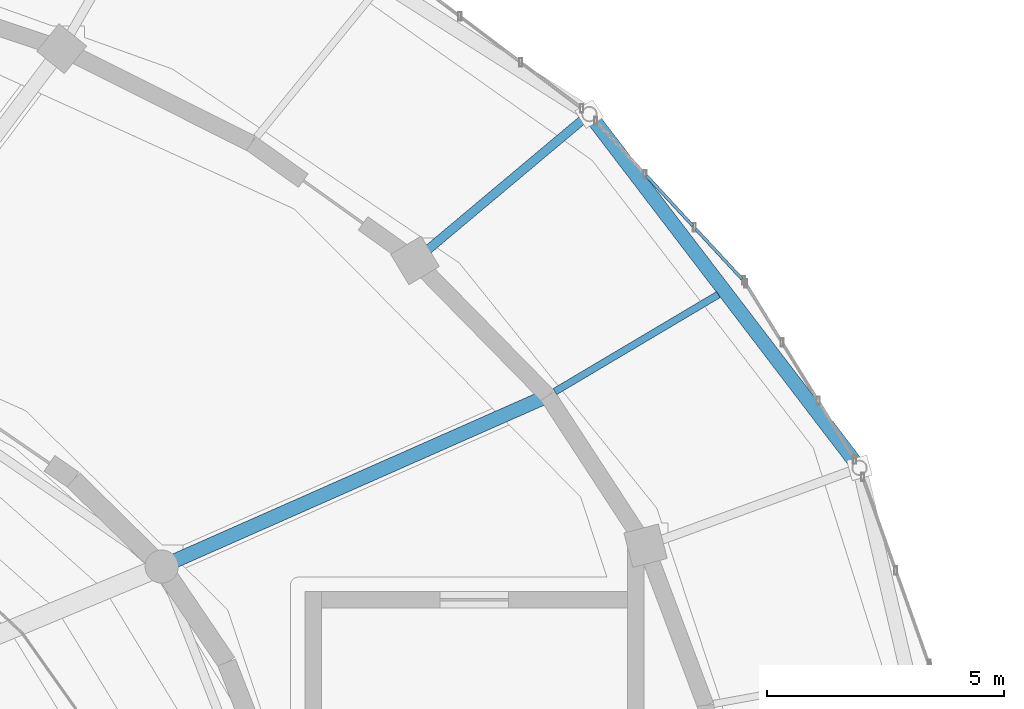
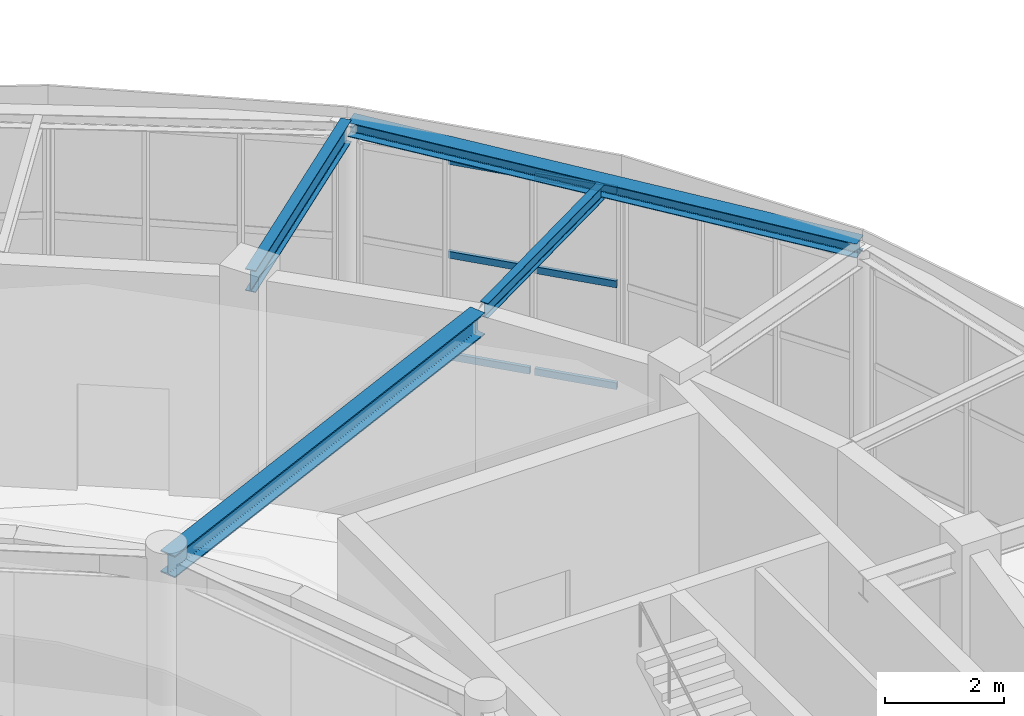
# One storey, part 49 of 108: 6 members, 4 beams, 1 element without a shape of its own.
"""IFC4 building model written with IfcOpenShell, lengths in metres."""

from ifc_helpers import new_model, si_unit, direction, frame, origin, origin_2d, place, context, subcontext, project, spatial, hollow_rectangle, i_section, extrude, material, material_profile, profile_set, type_object, element, aggregate, save


model = new_model("IFC4")

# Units and contexts
model_context = context("Model", 3, precision=1e-05, world=origin(), true_north=direction((0.0, 1.0)))
body_context = subcontext(model_context, "Body", "Model", "MODEL_VIEW")
ifc_project = project(units=[si_unit("LENGTHUNIT", "METRE"), si_unit("AREAUNIT", "SQUARE_METRE"), si_unit("VOLUMEUNIT", "CUBIC_METRE"), si_unit("PLANEANGLEUNIT", "RADIAN"), si_unit("MASSUNIT", "GRAM", prefix="KILO")], contexts=[model_context])

# Site, building, storey
site_placement = place(None, origin())
site = spatial("IfcSite", under=ifc_project, at=site_placement, CompositionType="ELEMENT")
building_placement = place(site_placement, origin())
building = spatial("IfcBuilding", under=site, at=building_placement, Name="Tarnveldt Headland Concert Hall", CompositionType="ELEMENT")
storey_placement = place(building_placement, frame((0.0, 0.0, 9.60009765625)))
storey = spatial("IfcBuildingStorey", under=building, at=storey_placement, Name="L02", CompositionType="ELEMENT", Elevation=9.60009765625)

# Beams
ifc_material_1 = material(Name="Steel S355", Category="steel")
ifc_material_profile_1 = material_profile(ifc_material_1, i_section(OverallWidth=0.300048828125, OverallDepth=0.2900390625, WebThickness=0.008544921875, FlangeThickness=0.013916015625, FilletRadius=0.027099609375, at=origin_2d()), Name="HEA300", Category="steel")
ifc_profile_set_1 = profile_set([ifc_material_profile_1], Name="Steel S355")
beam_type_1 = type_object("IfcBeamType", Name="SB-HEA300", PredefinedType="SPANDREL", material=ifc_profile_set_1)
beam_1_placement = place(storey_placement, frame((114.285400390625, 63.02978515625, 4.4248046875), z_axis=(-0.606896353007, 0.794780986629, 0.0), x_axis=(-0.794780986629, -0.606896353007, 0.0)))
element("IfcBeam", 1, at=beam_1_placement, inside=storey, type_object=beam_type_1, Name="Framing beam L02-998", PredefinedType="SPANDREL", context=body_context, shape_type="SweptSolid", body=[
    extrude(i_section(OverallWidth=0.300048828125, OverallDepth=0.2900390625, WebThickness=0.008544921875, FlangeThickness=0.013916015625, FilletRadius=0.027099609375, at=origin_2d()), origin(), (0.0, 0.0, 1.0), 9.264892578125),
])
ifc_material_profile_2 = material_profile(ifc_material_1, i_section(OverallWidth=0.300048828125, OverallDepth=0.449951171875, WebThickness=0.013916015625, FlangeThickness=0.02587890625, FilletRadius=0.027099609375, at=origin_2d()), Name="HEB450", Category="steel")
ifc_profile_set_2 = profile_set([ifc_material_profile_2], Name="Steel S355")
beam_type_2 = type_object("IfcBeamType", Name="SB-HEB450", PredefinedType="BEAM", material=ifc_profile_set_2)
beam_2_placement = place(storey_placement, frame((99.644775390625, 60.916259765625, 4.324951171875), z_axis=(0.91456211397, 0.404445471839, 0.0), x_axis=(-0.404445471839, 0.91456211397, 0.0)))
element("IfcBeam", 2, at=beam_2_placement, inside=storey, type_object=beam_type_2, Name="Framing beam L02-1051", PredefinedType="BEAM", context=body_context, shape_type="SweptSolid", body=[
    extrude(i_section(OverallWidth=0.300048828125, OverallDepth=0.449951171875, WebThickness=0.013916015625, FlangeThickness=0.02587890625, FilletRadius=0.027099609375, at=origin_2d()), origin(), (0.0, 0.0, 1.0), 8.821044921875),
])
ifc_material_profile_3 = material_profile(ifc_material_1, i_section(OverallWidth=0.14990234375, OverallDepth=0.300048828125, WebThickness=0.007080078125, FlangeThickness=0.0107421875, FilletRadius=0.014892578125, at=origin_2d()), Name="IPE300", Category="steel")
ifc_profile_set_3 = profile_set([ifc_material_profile_3], Name="Steel S355")
beam_type_3 = type_object("IfcBeamType", Name="SB-IPE300", PredefinedType="JOIST", material=ifc_profile_set_3)
beam_3_placement = place(storey_placement, frame((107.899169921875, 64.58935546875, 4.419921875), z_axis=(0.859902377377, 0.510458520726, 0.0), x_axis=(-0.510458520726, 0.859902377377, 0.0)))
element("IfcBeam", 3, at=beam_3_placement, inside=storey, type_object=beam_type_3, Name="Framing beam L02-1000", PredefinedType="JOIST", context=body_context, shape_type="SweptSolid", body=[
    extrude(i_section(OverallWidth=0.14990234375, OverallDepth=0.300048828125, WebThickness=0.007080078125, FlangeThickness=0.0107421875, FilletRadius=0.014892578125, at=origin_2d()), origin(), (0.0, 0.0, 1.0), 4.007568359375),
])
ifc_material_profile_4 = material_profile(ifc_material_1, i_section(OverallWidth=0.18994140625, OverallDepth=0.449951171875, WebThickness=0.009521484375, FlangeThickness=0.0146484375, FilletRadius=0.02099609375, at=origin_2d()), Name="IPE450", Category="steel")
ifc_profile_set_4 = profile_set([ifc_material_profile_4], Name="Steel S355")
beam_type_4 = type_object("IfcBeamType", Name="SB-IPE450", PredefinedType="BEAM", material=ifc_profile_set_4)
beam_4_placement = place(storey_placement, frame((104.979736328125, 67.381591796875, 4.344970703125), z_axis=(0.76607107782, 0.642755866351, 0.0), x_axis=(-0.642755866351, 0.76607107782, 0.0)))
element("IfcBeam", 4, at=beam_4_placement, inside=storey, type_object=beam_type_4, Name="Framing beam L02-1002", PredefinedType="BEAM", context=body_context, shape_type="SweptSolid", body=[
    extrude(i_section(OverallWidth=0.18994140625, OverallDepth=0.449951171875, WebThickness=0.009521484375, FlangeThickness=0.0146484375, FilletRadius=0.02099609375, at=origin_2d()), origin(), (0.0, 0.0, 1.0), 4.699951171875),
])

# Curtain wall, members
ifc_material_2 = material(Name="Marine-anodised aluminium EN AW-6063-T6", Category="aluminium")
curtain_wall_type = type_object("IfcCurtainWallType", Name="CW-F3", PredefinedType="NOTDEFINED", material=ifc_material_2)
curtain_wall_placement = place(storey_placement, origin())
curtain_wall = element("IfcCurtainWall", 5, at=curtain_wall_placement, inside=storey, type_object=curtain_wall_type, Name="Curtain wall CW-L02-063", PredefinedType="NOTDEFINED")
ifc_material_profile_5 = material_profile(ifc_material_2, hollow_rectangle(XDim=0.06494140625, YDim=0.139892578125, WallThickness=0.00390625, at=origin_2d()), Name="ALU TRANSOM 65x140x4", Category="aluminium")
ifc_profile_set_5 = profile_set([ifc_material_profile_5], Name="Marine-anodised aluminium EN AW-6063-T6")
member_type = type_object("IfcMemberType", Name="TR-140", PredefinedType="MEMBER", material=ifc_profile_set_5)
member_1_placement = place(storey_placement, frame((111.84814453125, 66.9619140625, 0.0498046875), z_axis=(-0.679441860222, 0.733729349678, 0.0), x_axis=(-0.733729349678, -0.679441860222, 0.0)))
member_1 = element("IfcMember", 6, at=member_1_placement, type_object=member_type, Name="Transom CW-L02-063-1-1", PredefinedType="MEMBER", context=body_context, shape_type="SweptSolid", body=[
    extrude(hollow_rectangle(XDim=0.06494140625, YDim=0.139892578125, WallThickness=0.00390625, at=origin_2d()), origin(), (0.0, 0.0, 1.0), 1.439208984375),
])
member_2_placement = place(storey_placement, frame((111.84814453125, 66.9619140625, 2.135986328125), z_axis=(-0.679441860222, 0.733729349678, 0.0), x_axis=(-0.733729349678, -0.679441860222, 0.0)))
member_2 = element("IfcMember", 7, at=member_2_placement, type_object=member_type, Name="Transom CW-L02-063-1-2", PredefinedType="MEMBER", context=body_context, shape_type="SweptSolid", body=[
    extrude(hollow_rectangle(XDim=0.06494140625, YDim=0.139892578125, WallThickness=0.00390625, at=origin_2d()), origin(), (0.0, 0.0, 1.0), 1.439208984375),
])
member_3_placement = place(storey_placement, frame((111.84814453125, 66.9619140625, 4.057861328125), z_axis=(-0.679441860222, 0.733729349678, 0.0), x_axis=(-0.733729349678, -0.679441860222, 0.0)))
member_3 = element("IfcMember", 8, at=member_3_placement, type_object=member_type, Name="Transom CW-L02-063-1-3", PredefinedType="MEMBER", context=body_context, shape_type="SweptSolid", body=[
    extrude(hollow_rectangle(XDim=0.06494140625, YDim=0.139892578125, WallThickness=0.00390625, at=origin_2d()), origin(), (0.0, 0.0, 1.0), 1.439208984375),
])
member_4_placement = place(storey_placement, frame((110.809814453125, 68.083251953125, 0.0498046875), z_axis=(-0.679526440449, 0.733651018353, 0.0), x_axis=(-0.733651018353, -0.679526440449, 0.0)))
member_4 = element("IfcMember", 9, at=member_4_placement, type_object=member_type, Name="Transom CW-L02-063-2-1", PredefinedType="MEMBER", context=body_context, shape_type="SweptSolid", body=[
    extrude(hollow_rectangle(XDim=0.06494140625, YDim=0.139892578125, WallThickness=0.00390625, at=origin_2d()), origin(), (0.0, 0.0, 1.0), 1.43896484375),
])
member_5_placement = place(storey_placement, frame((110.809814453125, 68.083251953125, 2.135986328125), z_axis=(-0.679526440449, 0.733651018353, 0.0), x_axis=(-0.733651018353, -0.679526440449, 0.0)))
member_5 = element("IfcMember", 10, at=member_5_placement, type_object=member_type, Name="Transom CW-L02-063-2-2", PredefinedType="MEMBER", context=body_context, shape_type="SweptSolid", body=[
    extrude(hollow_rectangle(XDim=0.06494140625, YDim=0.139892578125, WallThickness=0.00390625, at=origin_2d()), origin(), (0.0, 0.0, 1.0), 1.43896484375),
])
member_6_placement = place(storey_placement, frame((110.809814453125, 68.083251953125, 4.057861328125), z_axis=(-0.679526440449, 0.733651018353, 0.0), x_axis=(-0.733651018353, -0.679526440449, 0.0)))
member_6 = element("IfcMember", 11, at=member_6_placement, type_object=member_type, Name="Transom CW-L02-063-2-3", PredefinedType="MEMBER", context=body_context, shape_type="SweptSolid", body=[
    extrude(hollow_rectangle(XDim=0.06494140625, YDim=0.139892578125, WallThickness=0.00390625, at=origin_2d()), origin(), (0.0, 0.0, 1.0), 1.43896484375),
])
aggregate(curtain_wall, [member_1, member_2, member_3, member_4, member_5, member_6])

save(model, "model.ifc")
